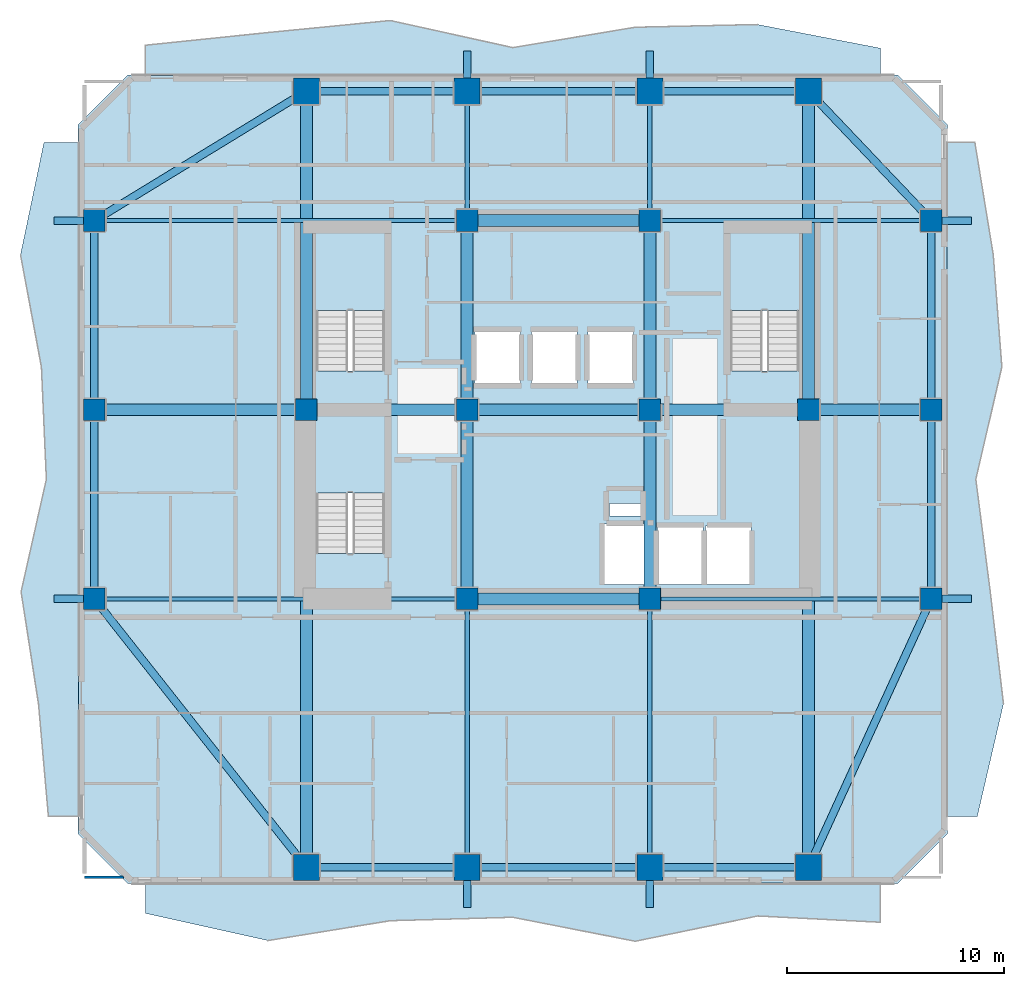
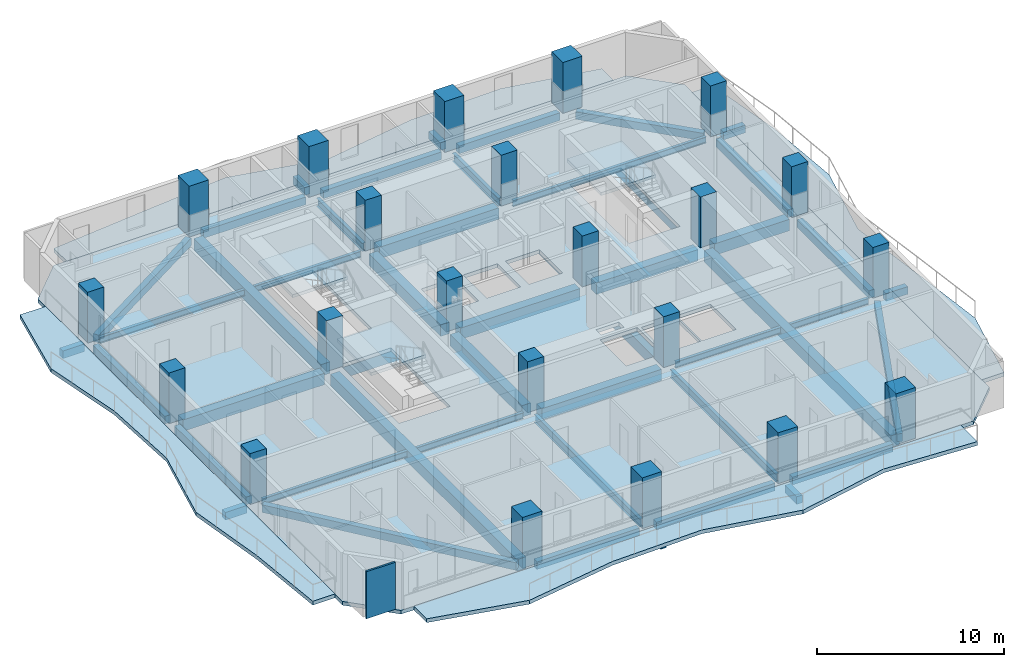
# One storey, part 1 of 11: 45 beams, 22 columns, 8 slabs, 1 wall, 3 elements without a shape of their own.
"""IFC4 building model written with IfcOpenShell, lengths in metres."""

import ifcopenshell
import ifcopenshell.guid

model = None  # the IFC model being written
_history = None  # IfcOwnerHistory: only IFC2X3 demands one
_inside = {}  # id of a spatial element -> (the spatial element, [elements in it])
_under = {}  # id of a project, library or spatial element -> (it, [spatial elements below it])
_declared = {}  # id of a project -> (the project, [libraries it declares])
_typed = {}  # id of a type object -> (the type object, [elements of that type])
_made_of = {}  # id of a material, layer set ... -> (it, [elements and type objects made of it])


def new_model(schema):
    """Start an empty IFC model of exactly this schema.

    Asked for "IFC4X3", IfcOpenShell would pick the latest addendum, in which some entities
    have other attributes; the version numbers below select the first issue.
    IFC2X3 requires an IfcOwnerHistory on every rooted entity: one is made here for all.
    """
    global model, _history
    if schema == "IFC4X3":
        model = ifcopenshell.file(schema_version=(4, 3, 0, 0))
    else:
        model = ifcopenshell.file(schema=schema)
    _inside.clear()
    _under.clear()
    _declared.clear()
    _typed.clear()
    _made_of.clear()
    _history = None
    if model.schema == "IFC2X3":
        org = make("IfcOrganization", Name="unknown")
        user = make(
            "IfcPersonAndOrganization",
            ThePerson=make("IfcPerson", FamilyName="unknown"),
            TheOrganization=org,
        )
        app = make(
            "IfcApplication",
            ApplicationDeveloper=org,
            Version="unknown",
            ApplicationFullName="unknown",
            ApplicationIdentifier="unknown",
        )
        _history = make(
            "IfcOwnerHistory",
            OwningUser=user,
            OwningApplication=app,
            ChangeAction="ADDED",
            CreationDate=0,
        )
    return model


def make(cls, **values):
    """One entity of the class cls with the attributes given. An attribute that is None is left unset."""
    return model.create_entity(
        cls, **{name: value for name, value in values.items() if value is not None}
    )


def rooted(cls, **values):
    """An entity with a GlobalId (a new one), such as an element, a storey or a relation."""
    return make(cls, GlobalId=ifcopenshell.guid.new(), OwnerHistory=_history, **values)


def si_unit(unit_type, name, prefix=None):
    """IfcSIUnit, for example si_unit("LENGTHUNIT", "METRE", prefix="MILLI")."""
    return make("IfcSIUnit", UnitType=unit_type, Prefix=prefix, Name=name)


def assignment(units):
    """IfcUnitAssignment: the units of a project."""
    return None if units is None else make("IfcUnitAssignment", Units=units)


def point(xyz):
    """IfcCartesianPoint."""
    return None if xyz is None else make("IfcCartesianPoint", Coordinates=xyz)


def direction(xyz):
    """IfcDirection."""
    return None if xyz is None else make("IfcDirection", DirectionRatios=xyz)


def frame(location, z_axis=None, x_axis=None):
    """IfcAxis2Placement3D, a coordinate frame: its origin and axes. An axis left out is left unset."""
    return make(
        "IfcAxis2Placement3D",
        Location=point(location),
        Axis=direction(z_axis),
        RefDirection=direction(x_axis),
    )


def frame_2d(location, x_axis=None):
    """IfcAxis2Placement2D, a coordinate frame in the plane: its origin and x axis."""
    return make(
        "IfcAxis2Placement2D", Location=point(location), RefDirection=direction(x_axis)
    )


def origin():
    """The frame at (0, 0, 0) with its axes left unset."""
    return frame((0.0, 0.0, 0.0))


def origin_2d():
    """The frame at (0, 0) in the plane with its x axis left unset."""
    return frame_2d((0.0, 0.0))


def place(relative_to, where):
    """IfcLocalPlacement: puts the frame where relative to a parent placement (None: the world)."""
    return make(
        "IfcLocalPlacement", PlacementRelTo=relative_to, RelativePlacement=where
    )


def context(
    kind, dimensions, precision=None, world=None, true_north=None, identifier=None
):
    """IfcGeometricRepresentationContext, for example the 3D "Model" context."""
    return make(
        "IfcGeometricRepresentationContext",
        ContextIdentifier=identifier,
        ContextType=kind,
        CoordinateSpaceDimension=dimensions,
        Precision=precision,
        WorldCoordinateSystem=world,
        TrueNorth=true_north,
    )


def subcontext(parent, identifier, kind, view, scale=None):
    """IfcGeometricRepresentationSubContext, for example "Body" below "Model"."""
    return make(
        "IfcGeometricRepresentationSubContext",
        ContextIdentifier=identifier,
        ContextType=kind,
        ParentContext=parent,
        TargetScale=scale,
        TargetView=view,
    )


def project(units=None, contexts=None):
    """IfcProject with its units and contexts."""
    return rooted(
        "IfcProject",
        Name="project",
        RepresentationContexts=contexts,
        UnitsInContext=assignment(units),
    )


def spatial(cls, under=None, at=None, **own):
    """A site, building, storey or space (cls), placed at a placement, below another one or the project."""
    s = rooted(cls, ObjectPlacement=at, **own)
    if under is not None:
        _under.setdefault(under.id(), (under, []))[1].append(s)
    return s


def polyline(points):
    """IfcPolyline through the points."""
    return make("IfcPolyline", Points=[point(p) for p in points])


def profile(cls, at=None, kind="AREA", **sizes):
    """A parametric profile (cls). Its sizes go by their IFC names, for example OverallWidth=200.0."""
    return make(cls, ProfileType=kind, Position=at, **sizes)


def rectangle(**sizes):
    """IfcRectangleProfileDef."""
    return profile("IfcRectangleProfileDef", **sizes)


def i_section(**sizes):
    """IfcIShapeProfileDef."""
    return profile("IfcIShapeProfileDef", **sizes)


def outline(outer, holes=None, kind="AREA"):
    """IfcArbitraryClosedProfileDef: a profile drawn as a closed curve; with holes, ...WithVoids."""
    if holes is None:
        return make("IfcArbitraryClosedProfileDef", ProfileType=kind, OuterCurve=outer)
    return make(
        "IfcArbitraryProfileDefWithVoids",
        ProfileType=kind,
        OuterCurve=outer,
        InnerCurves=holes,
    )


def extrude(swept, where, along, depth):
    """IfcExtrudedAreaSolid: the profile swept, set in the frame where, extruded along a direction by depth."""
    return make(
        "IfcExtrudedAreaSolid",
        SweptArea=swept,
        Position=where,
        ExtrudedDirection=direction(along),
        Depth=depth,
    )


def shape(context_of_items, identifier, shape_type, items):
    """IfcShapeRepresentation: the items that make up one representation, for example the "Body"."""
    return make(
        "IfcShapeRepresentation",
        ContextOfItems=context_of_items,
        RepresentationIdentifier=identifier,
        RepresentationType=shape_type,
        Items=items,
    )


def material(Name=None, Category=None):
    """IfcMaterial."""
    return make("IfcMaterial", Name=Name, Category=Category)


def layer(
    of_material, thickness, ventilated=None, Name=None, Category=None, Priority=None
):
    """IfcMaterialLayer: one layer of a wall or slab, of a material (None: an air gap)."""
    return make(
        "IfcMaterialLayer",
        Material=of_material,
        LayerThickness=thickness,
        IsVentilated=ventilated,
        Name=Name,
        Category=Category,
        Priority=Priority,
    )


def layer_set(layers, Name=None):
    """IfcMaterialLayerSet."""
    return make("IfcMaterialLayerSet", MaterialLayers=layers, LayerSetName=Name)


def material_profile(
    of_material, cross_section, Name=None, Category=None, Priority=None
):
    """IfcMaterialProfile: a cross section and its material."""
    return make(
        "IfcMaterialProfile",
        Name=Name,
        Material=of_material,
        Profile=cross_section,
        Priority=Priority,
        Category=Category,
    )


def profile_set(profiles, Name=None, composite=None):
    """IfcMaterialProfileSet."""
    return make(
        "IfcMaterialProfileSet",
        Name=Name,
        MaterialProfiles=profiles,
        CompositeProfile=composite,
    )


def made_of(thing, what):
    """Note that an element or type object is made of a material, layer set ...; save() writes the relation."""
    if what is not None:
        _made_of.setdefault(what.id(), (what, []))[1].append(thing)
    return thing


def type_object(cls, material=None, **own):
    """A type object (cls), such as IfcWallType, which elements share."""
    return made_of(rooted(cls, **own), material)


def element(
    cls,
    number,
    at=None,
    inside=None,
    cuts=None,
    type_object=None,
    material=None,
    context=None,
    identifier="Body",
    shape_type=None,
    held_by="IfcProductDefinitionShape",
    body=None,
    shapes=None,
    **own,
):
    """One element of the class cls, such as IfcWall. Its Tag is "e" and its number.

    at: its placement. inside: the storey or other place that contains it. cuts: it is an
    opening in that element (IfcRelVoidsElement). A single representation is given by context,
    identifier, shape_type and body (its items); several are given by shapes. held_by: the class
    of the entity that holds the representations. save() writes the other relations.
    """
    e = rooted(cls, Tag="e%d" % number, ObjectPlacement=at, **own)
    if body is not None:
        shapes = [shape(context, identifier, shape_type, body)]
    if shapes is not None:
        e.Representation = make(held_by, Representations=shapes)
    if inside is not None:
        _inside.setdefault(inside.id(), (inside, []))[1].append(e)
    if cuts is not None:
        rooted(
            "IfcRelVoidsElement", RelatingBuildingElement=cuts, RelatedOpeningElement=e
        )
    if type_object is not None:
        _typed.setdefault(type_object.id(), (type_object, []))[1].append(e)
    return made_of(e, material)


def aggregate(whole, parts):
    """IfcRelAggregates: a whole, such as a stair, and the parts it consists of."""
    return rooted("IfcRelAggregates", RelatingObject=whole, RelatedObjects=parts)


def save(model, path):
    """Write the relations noted so far, then the file.

    IfcRelAggregates (storeys below a building ...), IfcRelContainedInSpatialStructure (elements
    in a storey), IfcRelDefinesByType, IfcRelAssociatesMaterial and IfcRelDeclares: one each for
    every whole, place, type object, material and project.
    """
    for whole, parts in _under.values():
        aggregate(whole, parts)
    for where, things in _inside.values():
        rooted(
            "IfcRelContainedInSpatialStructure",
            RelatedElements=things,
            RelatingStructure=where,
        )
    for kind, things in _typed.values():
        rooted("IfcRelDefinesByType", RelatedObjects=things, RelatingType=kind)
    for what, things in _made_of.values():
        rooted("IfcRelAssociatesMaterial", RelatedObjects=things, RelatingMaterial=what)
    for by, libraries in _declared.values():
        rooted("IfcRelDeclares", RelatingContext=by, RelatedDefinitions=libraries)
    model.write(path)


model = new_model("IFC4")

# Units and contexts
model_context = context("Model", 3, precision=1e-05, world=origin(), true_north=direction((0.0, 1.0)))
body_context = subcontext(model_context, "Body", "Model", "MODEL_VIEW")
ifc_project = project(units=[si_unit("LENGTHUNIT", "METRE"), si_unit("AREAUNIT", "SQUARE_METRE"), si_unit("VOLUMEUNIT", "CUBIC_METRE"), si_unit("PLANEANGLEUNIT", "RADIAN"), si_unit("MASSUNIT", "GRAM", prefix="KILO")], contexts=[model_context])

# Site, building, storey
site_placement = place(None, origin())
site = spatial("IfcSite", under=ifc_project, at=site_placement, CompositionType="ELEMENT")
building_placement = place(site_placement, origin())
building = spatial("IfcBuilding", under=site, at=building_placement, Name="Solanera Arch Residences", CompositionType="ELEMENT")
storey_placement = place(building_placement, frame((0.0, 0.0, 116.0400390625)))
storey = spatial("IfcBuildingStorey", under=building, at=storey_placement, Name="L33", CompositionType="ELEMENT", Elevation=116.0400390625)

# Columns
ifc_material_1 = material(Name="Concrete C55/67 (f'c = 60 MPa)", Category="concrete")
ifc_material_profile_1 = material_profile(ifc_material_1, rectangle(XDim=1.0, YDim=1.0, at=origin_2d()))
ifc_profile_set_1 = profile_set([ifc_material_profile_1], Name="Concrete C55/67 (f'c = 60 MPa)")
column_type_1 = type_object("IfcColumnType", Name="Structural Column RC-COL-1000X1000", PredefinedType="COLUMN", material=ifc_profile_set_1)
for number, where, z_axis, x_axis, name in (
    (1, (20.800048828125, 22.0, 0.0), (0.0, 0.0, 1.0), (1.0, 0.0, 0.0), "COL-L33-CB-SW"),
    (2, (29.199951171875, 22.0, 0.0), (0.0, 0.0, 1.0), (1.0, 0.0, 0.0), "COL-L33-CB-SE"),
    (3, (20.800048828125, 39.39990234375, 0.0), (0.0, 0.0, 1.0), (1.0, 0.0, 0.0), "COL-L33-CB-NW"),
    (4, (29.199951171875, 39.39990234375, 0.0), (0.0, 0.0, 1.0), (1.0, 0.0, 0.0), "COL-L33-CB-NE"),
    (5, (13.39990234375, 30.699951171875, 0.0), (0.0, 0.0, 1.0), (1.0, 0.0, 0.0), "COL-L33-CB-WW"),
    (6, (36.5, 30.699951171875, 0.0), (0.0, 0.0, 1.0), (1.0, 0.0, 0.0), "COL-L33-CB-EE"),
    (7, (20.800048828125, 30.699951171875, 0.0), (0.0, 0.0, 1.0), (1.0, 0.0, 0.0), "COL-L33-CORE-W"),
    (8, (29.199951171875, 30.699951171875, 0.0), (0.0, 0.0, 1.0), (1.0, 0.0, 0.0), "COL-L33-CORE-E"),
    (9, (3.64990234375, 22.0, 0.0), (0.0, 0.0, 1.0), (1.0, 0.0, 0.0), "COL-L33-TWR-09"),
    (10, (42.14990234375, 22.0, 0.0), (0.0, 0.0, 1.0), (1.0, 0.0, 0.0), "COL-L33-TWR-10"),
    (11, (3.64990234375, 30.699951171875, 0.0), (0.0, 0.0, 1.0), (1.0, 0.0, 0.0), "COL-L33-TWR-11"),
    (12, (42.14990234375, 30.699951171875, 0.0), (0.0, 0.0, 1.0), (1.0, 0.0, 0.0), "COL-L33-TWR-12"),
    (13, (3.64990234375, 39.39990234375, 0.0), (0.0, 0.0, 1.0), (1.0, 0.0, 0.0), "COL-L33-TWR-13"),
    (14, (42.14990234375, 39.39990234375, 0.0), (0.0, 0.0, 1.0), (1.0, 0.0, 0.0), "COL-L33-TWR-14"),
):
    element("IfcColumn", number, at=place(storey_placement, frame(where, z_axis=z_axis, x_axis=x_axis)), inside=storey, type_object=column_type_1, Name=name, PredefinedType="COLUMN", context=body_context, shape_type="SweptSolid", body=[
        extrude(rectangle(XDim=1.0, YDim=1.0, at=origin_2d()), origin(), (0.0, 0.0, 1.0), 3.320068359375),
    ])
ifc_material_2 = material(Name="Concrete C55/67 (f'c = 60 MPa)", Category="concrete")
ifc_material_profile_2 = material_profile(ifc_material_2, rectangle(XDim=1.199951171875, YDim=1.199951171875, at=origin_2d()))
ifc_profile_set_2 = profile_set([ifc_material_profile_2], Name="Concrete C55/67 (f'c = 60 MPa)")
column_type_2 = type_object("IfcColumnType", Name="Structural Column RC-COL-1200X1200", PredefinedType="COLUMN", material=ifc_profile_set_2)
for number, where, z_axis, x_axis, name in (
    (15, (13.39990234375, 9.64990234375, 0.0), (0.0, 0.0, 1.0), (1.0, 0.0, 0.0), "COL-L33-TWR-01"),
    (16, (13.39990234375, 45.35009765625, 0.0), (0.0, 0.0, 1.0), (1.0, 0.0, 0.0), "COL-L33-TWR-02"),
    (17, (20.800048828125, 9.64990234375, 0.0), (0.0, 0.0, 1.0), (1.0, 0.0, 0.0), "COL-L33-TWR-03"),
    (18, (20.800048828125, 45.35009765625, 0.0), (0.0, 0.0, 1.0), (1.0, 0.0, 0.0), "COL-L33-TWR-04"),
    (19, (29.199951171875, 9.64990234375, 0.0), (0.0, 0.0, 1.0), (1.0, 0.0, 0.0), "COL-L33-TWR-05"),
    (20, (29.199951171875, 45.35009765625, 0.0), (0.0, 0.0, 1.0), (1.0, 0.0, 0.0), "COL-L33-TWR-06"),
    (21, (36.5, 9.64990234375, 0.0), (0.0, 0.0, 1.0), (1.0, 0.0, 0.0), "COL-L33-TWR-07"),
    (22, (36.5, 45.35009765625, 0.0), (0.0, 0.0, 1.0), (1.0, 0.0, 0.0), "COL-L33-TWR-08"),
):
    element("IfcColumn", number, at=place(storey_placement, frame(where, z_axis=z_axis, x_axis=x_axis)), inside=storey, type_object=column_type_2, Name=name, PredefinedType="COLUMN", context=body_context, shape_type="SweptSolid", body=[
        extrude(rectangle(XDim=1.199951171875, YDim=1.199951171875, at=origin_2d()), origin(), (0.0, 0.0, 1.0), 3.320068359375),
    ])

# Beams
ifc_material_3 = material(Name="Concrete C40/50 (f'c = 45 MPa)", Category="concrete")
ifc_material_profile_3 = material_profile(ifc_material_3, rectangle(XDim=0.35009765625, YDim=0.5, at=origin_2d()))
ifc_profile_set_3 = profile_set([ifc_material_profile_3], Name="Concrete C40/50 (f'c = 45 MPa)")
beam_type_1 = type_object("IfcBeamType", Name="BM-BALC-RIB", PredefinedType="BEAM", material=ifc_profile_set_3)
for number, where, z_axis, x_axis, name in (
    (23, (20.800048828125, 7.800048828125, -0.5), (0.0, 1.0, 0.0), (-1.0, 0.0, 0.0), "BM-L33-BRIB-S1"),
    (24, (29.199951171875, 7.800048828125, -0.5), (0.0, 1.0, 0.0), (-1.0, 0.0, 0.0), "BM-L33-BRIB-S2"),
    (25, (20.800048828125, 45.949951171875, -0.5), (0.0, 1.0, 0.0), (-1.0, 0.0, 0.0), "BM-L33-BRIB-N1"),
    (26, (29.199951171875, 45.949951171875, -0.5), (0.0, 1.0, 0.0), (-1.0, 0.0, 0.0), "BM-L33-BRIB-N2"),
):
    element("IfcBeam", number, at=place(storey_placement, frame(where, z_axis=z_axis, x_axis=x_axis)), inside=storey, type_object=beam_type_1, Name=name, PredefinedType="BEAM", context=body_context, shape_type="SweptSolid", body=[
        extrude(rectangle(XDim=0.35009765625, YDim=0.5, at=origin_2d()), origin(), (0.0, 0.0, 1.0), 1.25),
    ])
for number, where, z_axis, x_axis, name in (
    (27, (42.64990234375, 22.0, -0.5), (1.0, 0.0, 0.0), (0.0, 1.0, 0.0), "BM-L33-BRIB-E1"),
    (28, (42.64990234375, 39.39990234375, -0.5), (1.0, 0.0, 0.0), (0.0, 1.0, 0.0), "BM-L33-BRIB-E2"),
):
    element("IfcBeam", number, at=place(storey_placement, frame(where, z_axis=z_axis, x_axis=x_axis)), inside=storey, type_object=beam_type_1, Name=name, PredefinedType="BEAM", context=body_context, shape_type="SweptSolid", body=[
        extrude(rectangle(XDim=0.35009765625, YDim=0.5, at=origin_2d()), origin(), (0.0, 0.0, 1.0), 1.35009765625),
    ])
for number, where, z_axis, x_axis, name in (
    (29, (1.800048828125, 22.0, -0.5), (1.0, 0.0, 0.0), (0.0, 1.0, 0.0), "BM-L33-BRIB-W1"),
    (30, (1.800048828125, 39.39990234375, -0.5), (1.0, 0.0, 0.0), (0.0, 1.0, 0.0), "BM-L33-BRIB-W2"),
):
    element("IfcBeam", number, at=place(storey_placement, frame(where, z_axis=z_axis, x_axis=x_axis)), inside=storey, type_object=beam_type_1, Name=name, PredefinedType="BEAM", context=body_context, shape_type="SweptSolid", body=[
        extrude(rectangle(XDim=0.35009765625, YDim=0.5, at=origin_2d()), origin(), (0.0, 0.0, 1.0), 1.349853515625),
    ])
ifc_material_4 = material(Name="Steel S355 (ASTM A992 / A572 Grade 50)", Category="steel")
ifc_material_profile_4 = material_profile(ifc_material_4, i_section(OverallWidth=0.208984375, OverallDepth=0.532958984375, WebThickness=0.01025390625, FlangeThickness=0.015625, at=origin_2d()))
ifc_profile_set_4 = profile_set([ifc_material_profile_4], Name="Steel S355 (ASTM A992 / A572 Grade 50)")
beam_type_2 = type_object("IfcBeamType", Name="Floor Beam W530X92", PredefinedType="BEAM", material=ifc_profile_set_4)
beam_1_placement = place(storey_placement, frame((20.800048828125, 10.18994140625, -0.506103515625), z_axis=(0.0, 1.0, 0.0), x_axis=(-1.0, 0.0, 0.0)))
element("IfcBeam", 31, at=beam_1_placement, inside=storey, type_object=beam_type_2, Name="BM-L33-RAD-S-208", PredefinedType="BEAM", context=body_context, shape_type="SweptSolid", body=[
    extrude(i_section(OverallWidth=0.208984375, OverallDepth=0.532958984375, WebThickness=0.01025390625, FlangeThickness=0.015625, at=origin_2d()), origin(), (0.0, 0.0, 1.0), 11.30615234375),
])
beam_2_placement = place(storey_placement, frame((20.800048828125, 39.904052734375, -0.506103515625), z_axis=(0.0, 1.0, 0.0), x_axis=(-1.0, 0.0, 0.0)))
element("IfcBeam", 32, at=beam_2_placement, inside=storey, type_object=beam_type_2, Name="BM-L33-RAD-N-208", PredefinedType="BEAM", context=body_context, shape_type="SweptSolid", body=[
    extrude(i_section(OverallWidth=0.208984375, OverallDepth=0.532958984375, WebThickness=0.01025390625, FlangeThickness=0.015625, at=origin_2d()), origin(), (0.0, 0.0, 1.0), 4.906005859375),
])
beam_3_placement = place(storey_placement, frame((29.199951171875, 10.18994140625, -0.506103515625), z_axis=(0.0, 1.0, 0.0), x_axis=(-1.0, 0.0, 0.0)))
element("IfcBeam", 33, at=beam_3_placement, inside=storey, type_object=beam_type_2, Name="BM-L33-RAD-S-292", PredefinedType="BEAM", context=body_context, shape_type="SweptSolid", body=[
    extrude(i_section(OverallWidth=0.208984375, OverallDepth=0.532958984375, WebThickness=0.01025390625, FlangeThickness=0.015625, at=origin_2d()), origin(), (0.0, 0.0, 1.0), 11.30615234375),
])
beam_4_placement = place(storey_placement, frame((29.199951171875, 39.904052734375, -0.506103515625), z_axis=(0.0, 1.0, 0.0), x_axis=(-1.0, 0.0, 0.0)))
element("IfcBeam", 34, at=beam_4_placement, inside=storey, type_object=beam_type_2, Name="BM-L33-RAD-N-292", PredefinedType="BEAM", context=body_context, shape_type="SweptSolid", body=[
    extrude(i_section(OverallWidth=0.208984375, OverallDepth=0.532958984375, WebThickness=0.01025390625, FlangeThickness=0.015625, at=origin_2d()), origin(), (0.0, 0.0, 1.0), 4.906005859375),
])
ifc_material_5 = material(Name="Concrete C40/50 (f'c = 45 MPa)", Category="concrete")
ifc_material_profile_5 = material_profile(ifc_material_5, rectangle(XDim=0.550048828125, YDim=0.75, at=origin_2d()))
ifc_profile_set_5 = profile_set([ifc_material_profile_5], Name="Concrete C40/50 (f'c = 45 MPa)")
beam_type_3 = type_object("IfcBeamType", Name="Primary Beam RC-BM-550X750", PredefinedType="BEAM", material=ifc_profile_set_5)
beam_5_placement = place(storey_placement, frame((20.800048828125, 22.50390625, -0.614990234375), z_axis=(0.0, 1.0, 0.0), x_axis=(-1.0, 0.0, 0.0)))
element("IfcBeam", 35, at=beam_5_placement, inside=storey, type_object=beam_type_3, Name="BM-L33-CC-S-208", PredefinedType="BEAM", context=body_context, shape_type="SweptSolid", body=[
    extrude(rectangle(XDim=0.550048828125, YDim=0.75, at=origin_2d()), origin(), (0.0, 0.0, 1.0), 7.692138671875),
])
beam_6_placement = place(storey_placement, frame((20.800048828125, 31.2041015625, -0.614990234375), z_axis=(0.0, 1.0, 0.0), x_axis=(-1.0, 0.0, 0.0)))
element("IfcBeam", 36, at=beam_6_placement, inside=storey, type_object=beam_type_3, Name="BM-L33-CC-N-208", PredefinedType="BEAM", context=body_context, shape_type="SweptSolid", body=[
    extrude(rectangle(XDim=0.550048828125, YDim=0.75, at=origin_2d()), origin(), (0.0, 0.0, 1.0), 7.69189453125),
])
beam_7_placement = place(storey_placement, frame((29.199951171875, 22.50390625, -0.614990234375), z_axis=(0.0, 1.0, 0.0), x_axis=(-1.0, 0.0, 0.0)))
element("IfcBeam", 37, at=beam_7_placement, inside=storey, type_object=beam_type_3, Name="BM-L33-CC-S-292", PredefinedType="BEAM", context=body_context, shape_type="SweptSolid", body=[
    extrude(rectangle(XDim=0.550048828125, YDim=0.75, at=origin_2d()), origin(), (0.0, 0.0, 1.0), 7.692138671875),
])
beam_8_placement = place(storey_placement, frame((29.199951171875, 31.2041015625, -0.614990234375), z_axis=(0.0, 1.0, 0.0), x_axis=(-1.0, 0.0, 0.0)))
element("IfcBeam", 38, at=beam_8_placement, inside=storey, type_object=beam_type_3, Name="BM-L33-CC-N-292", PredefinedType="BEAM", context=body_context, shape_type="SweptSolid", body=[
    extrude(rectangle(XDim=0.550048828125, YDim=0.75, at=origin_2d()), origin(), (0.0, 0.0, 1.0), 7.69189453125),
])
for number, where, z_axis, x_axis, name in (
    (39, (21.303955078125, 22.0, -0.614990234375), (1.0, 0.0, 0.0), (0.0, 1.0, 0.0), "BM-L33-CC-M-220"),
    (40, (21.303955078125, 30.699951171875, -0.614990234375), (1.0, 0.0, 0.0), (0.0, 1.0, 0.0), "BM-L33-CC-M-307"),
    (41, (21.303955078125, 39.39990234375, -0.614990234375), (1.0, 0.0, 0.0), (0.0, 1.0, 0.0), "BM-L33-CC-M-394"),
):
    element("IfcBeam", number, at=place(storey_placement, frame(where, z_axis=z_axis, x_axis=x_axis)), inside=storey, type_object=beam_type_3, Name=name, PredefinedType="BEAM", context=body_context, shape_type="SweptSolid", body=[
        extrude(rectangle(XDim=0.550048828125, YDim=0.75, at=origin_2d()), origin(), (0.0, 0.0, 1.0), 7.39208984375),
    ])
beam_9_placement = place(storey_placement, frame((13.904052734375, 30.699951171875, -0.614990234375), z_axis=(1.0, 0.0, 0.0), x_axis=(0.0, 1.0, 0.0)))
element("IfcBeam", 42, at=beam_9_placement, inside=storey, type_object=beam_type_3, Name="BM-L33-CC-W", PredefinedType="BEAM", context=body_context, shape_type="SweptSolid", body=[
    extrude(rectangle(XDim=0.550048828125, YDim=0.75, at=origin_2d()), origin(), (0.0, 0.0, 1.0), 6.391845703125),
])
beam_10_placement = place(storey_placement, frame((29.7041015625, 30.699951171875, -0.614990234375), z_axis=(1.0, 0.0, 0.0), x_axis=(0.0, 1.0, 0.0)))
element("IfcBeam", 43, at=beam_10_placement, inside=storey, type_object=beam_type_3, Name="BM-L33-CC-E", PredefinedType="BEAM", context=body_context, shape_type="SweptSolid", body=[
    extrude(rectangle(XDim=0.550048828125, YDim=0.75, at=origin_2d()), origin(), (0.0, 0.0, 1.0), 6.2919921875),
])
beam_11_placement = place(storey_placement, frame((13.39990234375, 10.18994140625, -0.614990234375), z_axis=(0.0, 1.0, 0.0), x_axis=(-1.0, 0.0, 0.0)))
element("IfcBeam", 44, at=beam_11_placement, inside=storey, type_object=beam_type_3, Name="BM-L33-RAD-OS-134", PredefinedType="BEAM", context=body_context, shape_type="SweptSolid", body=[
    extrude(rectangle(XDim=0.550048828125, YDim=0.75, at=origin_2d()), origin(), (0.0, 0.0, 1.0), 20.006103515625),
])
beam_12_placement = place(storey_placement, frame((13.39990234375, 31.2041015625, -0.614990234375), z_axis=(0.0, 1.0, 0.0), x_axis=(-1.0, 0.0, 0.0)))
element("IfcBeam", 45, at=beam_12_placement, inside=storey, type_object=beam_type_3, Name="BM-L33-RAD-ON-134", PredefinedType="BEAM", context=body_context, shape_type="SweptSolid", body=[
    extrude(rectangle(XDim=0.550048828125, YDim=0.75, at=origin_2d()), origin(), (0.0, 0.0, 1.0), 13.60595703125),
])
beam_13_placement = place(storey_placement, frame((36.5, 10.18994140625, -0.614990234375), z_axis=(0.0, 1.0, 0.0), x_axis=(-1.0, 0.0, 0.0)))
element("IfcBeam", 46, at=beam_13_placement, inside=storey, type_object=beam_type_3, Name="BM-L33-RAD-OS-365", PredefinedType="BEAM", context=body_context, shape_type="SweptSolid", body=[
    extrude(rectangle(XDim=0.550048828125, YDim=0.75, at=origin_2d()), origin(), (0.0, 0.0, 1.0), 20.006103515625),
])
beam_14_placement = place(storey_placement, frame((36.5, 31.2041015625, -0.614990234375), z_axis=(0.0, 1.0, 0.0), x_axis=(-1.0, 0.0, 0.0)))
element("IfcBeam", 47, at=beam_14_placement, inside=storey, type_object=beam_type_3, Name="BM-L33-RAD-ON-365", PredefinedType="BEAM", context=body_context, shape_type="SweptSolid", body=[
    extrude(rectangle(XDim=0.550048828125, YDim=0.75, at=origin_2d()), origin(), (0.0, 0.0, 1.0), 13.60595703125),
])
beam_15_placement = place(storey_placement, frame((4.154052734375, 30.699951171875, -0.614990234375), z_axis=(1.0, 0.0, 0.0), x_axis=(0.0, 1.0, 0.0)))
element("IfcBeam", 48, at=beam_15_placement, inside=storey, type_object=beam_type_3, Name="BM-L33-RAD-MW", PredefinedType="BEAM", context=body_context, shape_type="SweptSolid", body=[
    extrude(rectangle(XDim=0.550048828125, YDim=0.75, at=origin_2d()), origin(), (0.0, 0.0, 1.0), 8.741943359375),
])
beam_16_placement = place(storey_placement, frame((37.00390625, 30.699951171875, -0.614990234375), z_axis=(1.0, 0.0, 0.0), x_axis=(0.0, 1.0, 0.0)))
element("IfcBeam", 49, at=beam_16_placement, inside=storey, type_object=beam_type_3, Name="BM-L33-RAD-ME", PredefinedType="BEAM", context=body_context, shape_type="SweptSolid", body=[
    extrude(rectangle(XDim=0.550048828125, YDim=0.75, at=origin_2d()), origin(), (0.0, 0.0, 1.0), 4.64208984375),
])
ifc_material_6 = material(Name="Steel S355 (ASTM A992 / A572 Grade 50)", Category="steel")
ifc_material_profile_6 = material_profile(ifc_material_6, i_section(OverallWidth=0.178955078125, OverallDepth=0.409912109375, WebThickness=0.0087890625, FlangeThickness=0.014404296875, at=origin_2d()))
ifc_profile_set_6 = profile_set([ifc_material_profile_6], Name="Steel S355 (ASTM A992 / A572 Grade 50)")
beam_type_4 = type_object("IfcBeamType", Name="Secondary Joist W410X67", PredefinedType="JOIST", material=ifc_profile_set_6)
beam_17_placement = place(storey_placement, frame((4.154052734375, 22.0, -0.445068359375), z_axis=(1.0, 0.0, 0.0), x_axis=(0.0, 1.0, 0.0)))
element("IfcBeam", 50, at=beam_17_placement, inside=storey, type_object=beam_type_4, Name="BM-L33-RAD-W-220", PredefinedType="JOIST", context=body_context, shape_type="SweptSolid", body=[
    extrude(i_section(OverallWidth=0.178955078125, OverallDepth=0.409912109375, WebThickness=0.0087890625, FlangeThickness=0.014404296875, at=origin_2d()), origin(), (0.0, 0.0, 1.0), 16.141845703125),
])
beam_18_placement = place(storey_placement, frame((29.7041015625, 22.0, -0.445068359375), z_axis=(1.0, 0.0, 0.0), x_axis=(0.0, 1.0, 0.0)))
element("IfcBeam", 51, at=beam_18_placement, inside=storey, type_object=beam_type_4, Name="BM-L33-RAD-E-220", PredefinedType="JOIST", context=body_context, shape_type="SweptSolid", body=[
    extrude(i_section(OverallWidth=0.178955078125, OverallDepth=0.409912109375, WebThickness=0.0087890625, FlangeThickness=0.014404296875, at=origin_2d()), origin(), (0.0, 0.0, 1.0), 11.94189453125),
])
beam_19_placement = place(storey_placement, frame((4.154052734375, 39.39990234375, -0.445068359375), z_axis=(1.0, 0.0, 0.0), x_axis=(0.0, 1.0, 0.0)))
element("IfcBeam", 52, at=beam_19_placement, inside=storey, type_object=beam_type_4, Name="BM-L33-RAD-W-394", PredefinedType="JOIST", context=body_context, shape_type="SweptSolid", body=[
    extrude(i_section(OverallWidth=0.178955078125, OverallDepth=0.409912109375, WebThickness=0.0087890625, FlangeThickness=0.014404296875, at=origin_2d()), origin(), (0.0, 0.0, 1.0), 16.141845703125),
])
beam_20_placement = place(storey_placement, frame((29.7041015625, 39.39990234375, -0.445068359375), z_axis=(1.0, 0.0, 0.0), x_axis=(0.0, 1.0, 0.0)))
element("IfcBeam", 53, at=beam_20_placement, inside=storey, type_object=beam_type_4, Name="BM-L33-RAD-E-394", PredefinedType="JOIST", context=body_context, shape_type="SweptSolid", body=[
    extrude(i_section(OverallWidth=0.178955078125, OverallDepth=0.409912109375, WebThickness=0.0087890625, FlangeThickness=0.014404296875, at=origin_2d()), origin(), (0.0, 0.0, 1.0), 11.94189453125),
])
ifc_material_7 = material(Name="Concrete C40/50 (f'c = 45 MPa)", Category="concrete")
ifc_material_profile_7 = material_profile(ifc_material_7, rectangle(XDim=0.35009765625, YDim=0.5, at=origin_2d()))
ifc_profile_set_7 = profile_set([ifc_material_profile_7], Name="Concrete C40/50 (f'c = 45 MPa)")
beam_type_5 = type_object("IfcBeamType", Name="Spandrel Beam RC-BM-350X500", PredefinedType="SPANDREL", material=ifc_profile_set_7)
for number, where, z_axis, x_axis, name in (
    (54, (13.93994140625, 9.64990234375, -0.489990234375), (1.0, 0.0, 0.0), (0.0, 1.0, 0.0), "BM-L33-SPN-S-1"),
    (55, (13.93994140625, 45.35009765625, -0.489990234375), (1.0, 0.0, 0.0), (0.0, 1.0, 0.0), "BM-L33-SPN-N-1"),
):
    element("IfcBeam", number, at=place(storey_placement, frame(where, z_axis=z_axis, x_axis=x_axis)), inside=storey, type_object=beam_type_5, Name=name, PredefinedType="SPANDREL", context=body_context, shape_type="SweptSolid", body=[
        extrude(rectangle(XDim=0.35009765625, YDim=0.5, at=origin_2d()), origin(), (0.0, 0.0, 1.0), 6.320068359375),
    ])
for number, where, z_axis, x_axis, name in (
    (56, (21.340087890625, 9.64990234375, -0.489990234375), (1.0, 0.0, 0.0), (0.0, 1.0, 0.0), "BM-L33-SPN-S-2"),
    (57, (21.340087890625, 45.35009765625, -0.489990234375), (1.0, 0.0, 0.0), (0.0, 1.0, 0.0), "BM-L33-SPN-N-2"),
):
    element("IfcBeam", number, at=place(storey_placement, frame(where, z_axis=z_axis, x_axis=x_axis)), inside=storey, type_object=beam_type_5, Name=name, PredefinedType="SPANDREL", context=body_context, shape_type="SweptSolid", body=[
        extrude(rectangle(XDim=0.35009765625, YDim=0.5, at=origin_2d()), origin(), (0.0, 0.0, 1.0), 7.31982421875),
    ])
for number, where, z_axis, x_axis, name in (
    (58, (29.739990234375, 9.64990234375, -0.489990234375), (1.0, 0.0, 0.0), (0.0, 1.0, 0.0), "BM-L33-SPN-S-3"),
    (59, (29.739990234375, 45.35009765625, -0.489990234375), (1.0, 0.0, 0.0), (0.0, 1.0, 0.0), "BM-L33-SPN-N-3"),
):
    element("IfcBeam", number, at=place(storey_placement, frame(where, z_axis=z_axis, x_axis=x_axis)), inside=storey, type_object=beam_type_5, Name=name, PredefinedType="SPANDREL", context=body_context, shape_type="SweptSolid", body=[
        extrude(rectangle(XDim=0.35009765625, YDim=0.5, at=origin_2d()), origin(), (0.0, 0.0, 1.0), 6.219970703125),
    ])
for number, where, z_axis, x_axis, name in (
    (60, (3.64990234375, 22.50390625, -0.489990234375), (0.0, 1.0, 0.0), (-1.0, 0.0, 0.0), "BM-L33-SPN-W-1"),
    (61, (42.14990234375, 22.50390625, -0.489990234375), (0.0, 1.0, 0.0), (-1.0, 0.0, 0.0), "BM-L33-SPN-E-1"),
):
    element("IfcBeam", number, at=place(storey_placement, frame(where, z_axis=z_axis, x_axis=x_axis)), inside=storey, type_object=beam_type_5, Name=name, PredefinedType="SPANDREL", context=body_context, shape_type="SweptSolid", body=[
        extrude(rectangle(XDim=0.35009765625, YDim=0.5, at=origin_2d()), origin(), (0.0, 0.0, 1.0), 7.692138671875),
    ])
for number, where, z_axis, x_axis, name in (
    (62, (3.64990234375, 31.2041015625, -0.489990234375), (0.0, 1.0, 0.0), (-1.0, 0.0, 0.0), "BM-L33-SPN-W-2"),
    (63, (42.14990234375, 31.2041015625, -0.489990234375), (0.0, 1.0, 0.0), (-1.0, 0.0, 0.0), "BM-L33-SPN-E-2"),
):
    element("IfcBeam", number, at=place(storey_placement, frame(where, z_axis=z_axis, x_axis=x_axis)), inside=storey, type_object=beam_type_5, Name=name, PredefinedType="SPANDREL", context=body_context, shape_type="SweptSolid", body=[
        extrude(rectangle(XDim=0.35009765625, YDim=0.5, at=origin_2d()), origin(), (0.0, 0.0, 1.0), 7.69189453125),
    ])
beam_21_placement = place(storey_placement, frame((13.06494140625, 10.073974609375, -0.489990234375), z_axis=(-0.619616738842, 0.784904514541, 0.0), x_axis=(-0.784904514541, -0.619616738842, 0.0)))
element("IfcBeam", 64, at=beam_21_placement, inside=storey, type_object=beam_type_5, Name="BM-L33-SPN-SW", PredefinedType="SPANDREL", context=body_context, shape_type="SweptSolid", body=[
    extrude(rectangle(XDim=0.35009765625, YDim=0.5, at=origin_2d()), origin(), (0.0, 0.0, 1.0), 14.654052734375),
])
beam_22_placement = place(storey_placement, frame((12.93896484375, 45.069091796875, -0.489990234375), z_axis=(-0.85356704597, -0.520983011271, 0.0), x_axis=(0.520983011271, -0.85356704597, 0.0)))
element("IfcBeam", 65, at=beam_22_placement, inside=storey, type_object=beam_type_5, Name="BM-L33-SPN-NW", PredefinedType="SPANDREL", context=body_context, shape_type="SweptSolid", body=[
    extrude(rectangle(XDim=0.35009765625, YDim=0.5, at=origin_2d()), origin(), (0.0, 0.0, 1.0), 10.34228515625),
])
beam_23_placement = place(storey_placement, frame((36.72509765625, 10.14111328125, -0.489990234375), z_axis=(0.415970676335, 0.909378027241, 0.0), x_axis=(-0.909378027241, 0.415970676335, 0.0)))
element("IfcBeam", 66, at=beam_23_placement, inside=storey, type_object=beam_type_5, Name="BM-L33-SPN-SE", PredefinedType="SPANDREL", context=body_context, shape_type="SweptSolid", body=[
    extrude(rectangle(XDim=0.35009765625, YDim=0.5, at=origin_2d()), origin(), (0.0, 0.0, 1.0), 12.500732421875),
])
beam_24_placement = place(storey_placement, frame((36.8720703125, 44.9580078125, -0.489990234375), z_axis=(0.688623365426, -0.7251192044, 0.0), x_axis=(0.7251192044, 0.688623365426, 0.0)))
element("IfcBeam", 67, at=beam_24_placement, inside=storey, type_object=beam_type_5, Name="BM-L33-SPN-NE", PredefinedType="SPANDREL", context=body_context, shape_type="SweptSolid", body=[
    extrude(rectangle(XDim=0.35009765625, YDim=0.5, at=origin_2d()), origin(), (0.0, 0.0, 1.0), 7.124267578125),
])

# Slabs
ifc_material_8 = material(Name="Concrete C40/50 (f'c = 45 MPa)", Category="concrete")
ifc_layer_1 = layer(ifc_material_8, 0.25)
ifc_layer_set_1 = layer_set([ifc_layer_1], Name="Concrete C40/50 (f'c = 45 MPa)")
slab_type_1 = type_object("IfcSlabType", Name="Balcony Slab 250", PredefinedType="FLOOR", material=ifc_layer_set_1)
slab_1_placement = place(storey_placement, frame((0.0, 0.0, -0.25)))
element("IfcSlab", 68, at=slab_1_placement, inside=storey, type_object=slab_type_1, Name="L33 S Rippling Brise-Soleil Balcony Slab", PredefinedType="FLOOR", context=body_context, shape_type="SweptSolid", body=[
    extrude(outline(polyline([(6.0, 7.533935546875), (11.633056640625, 6.281982421875), (17.26708984375, 7.197021484375), (22.89990234375, 7.35400390625), (28.532958984375, 6.2509765625), (34.1669921875, 7.4140625), (39.800048828125, 7.1259765625), (39.800048828125, 8.919921875), (6.0, 8.919921875), (6.0, 7.533935546875)])), origin(), (0.0, 0.0, 1.0), 0.25),
])
slab_2_placement = place(storey_placement, frame((0.0, 0.0, -0.25)))
element("IfcSlab", 69, at=slab_2_placement, inside=storey, type_object=slab_type_1, Name="L33 N Rippling Brise-Soleil Balcony Slab", PredefinedType="FLOOR", context=body_context, shape_type="SweptSolid", body=[
    extrude(outline(polyline([(39.800048828125, 47.33203125), (34.1669921875, 48.4189453125), (28.532958984375, 48.2939453125), (22.89990234375, 47.35693359375), (17.26708984375, 48.60302734375), (11.633056640625, 48.049072265625), (6.0, 47.466064453125), (6.0, 46.080078125), (39.800048828125, 46.080078125), (39.800048828125, 47.33203125)])), origin(), (0.0, 0.0, 1.0), 0.25),
])
slab_3_placement = place(storey_placement, frame((0.0, 0.0, -0.25)))
element("IfcSlab", 70, at=slab_3_placement, inside=storey, type_object=slab_type_1, Name="L33 E Rippling Brise-Soleil Balcony Slab", PredefinedType="FLOOR", context=body_context, shape_type="SweptSolid", body=[
    extrude(outline(polyline([(44.26611328125, 12.0), (45.468017578125, 17.1669921875), (44.85888671875, 22.3330078125), (44.195068359375, 27.5), (45.39208984375, 32.6669921875), (44.9970703125, 37.8330078125), (44.14990234375, 43.0), (42.8798828125, 43.0), (42.8798828125, 12.0), (44.26611328125, 12.0)])), origin(), (0.0, 0.0, 1.0), 0.25),
])
slab_4_placement = place(storey_placement, frame((0.0, 0.0, -0.25)))
element("IfcSlab", 71, at=slab_4_placement, inside=storey, type_object=slab_type_1, Name="L33 W Rippling Brise-Soleil Balcony Slab", PredefinedType="FLOOR", context=body_context, shape_type="SweptSolid", body=[
    extrude(outline(polyline([(1.3310546875, 43.0), (0.2529296875, 37.8330078125), (1.214111328125, 32.6669921875), (1.44189453125, 27.5), (0.279052734375, 22.3330078125), (1.080078125, 17.1669921875), (1.533935546875, 12.0), (2.919921875, 12.0), (2.919921875, 43.0), (1.3310546875, 43.0)])), origin(), (0.0, 0.0, 1.0), 0.25),
])

# Stair, slab
ifc_material_9 = material(Name="Concrete C40/50 (f'c = 45 MPa)", Category="concrete")
stair_type = type_object("IfcStairType", Name="Tower Dogleg Exit Stair 1480", PredefinedType="HALF_TURN_STAIR", material=ifc_material_9)
stair_1_placement = place(storey_placement, origin())
stair_1 = element("IfcStair", 72, at=stair_1_placement, inside=storey, type_object=stair_type, Name="L33 Tower Core Exit Stair 1", PredefinedType="HALF_TURN_STAIR")
ifc_material_10 = material(Name="Concrete C40/50 (f'c = 45 MPa)", Category="concrete")
ifc_layer_2 = layer(ifc_material_10, 0.199951171875)
ifc_layer_set_2 = layer_set([ifc_layer_2], Name="Concrete C40/50 (f'c = 45 MPa)")
slab_type_2 = type_object("IfcSlabType", Name="Stair Half-Landing Slab 200", PredefinedType="LANDING", material=ifc_layer_set_2)
slab_5_placement = place(storey_placement, frame((0.0, 0.0, 1.4599609375)))
slab_5 = element("IfcSlab", 73, at=slab_5_placement, type_object=slab_type_2, Name="ST-T1 landing 1", PredefinedType="LANDING", context=body_context, shape_type="SweptSolid", body=[
    extrude(outline(polyline([(17.1201171875, 35.260009765625), (17.1201171875, 38.919921875), (13.719970703125, 38.919921875), (13.719970703125, 35.260009765625), (17.1201171875, 35.260009765625)])), origin(), (0.0, 0.0, 1.0), 0.199951171875),
])
aggregate(stair_1, [slab_5])

stair_2_placement = place(storey_placement, origin())
stair_2 = element("IfcStair", 74, at=stair_2_placement, inside=storey, type_object=stair_type, Name="L33 Tower Core Exit Stair 2", PredefinedType="HALF_TURN_STAIR")
slab_6_placement = place(storey_placement, frame((0.0, 0.0, 1.4599609375)))
slab_6 = element("IfcSlab", 75, at=slab_6_placement, type_object=slab_type_2, Name="ST-T2 landing 1", PredefinedType="LANDING", context=body_context, shape_type="SweptSolid", body=[
    extrude(outline(polyline([(36.179931640625, 35.260009765625), (36.179931640625, 38.919921875), (32.780029296875, 38.919921875), (32.780029296875, 35.260009765625), (36.179931640625, 35.260009765625)])), origin(), (0.0, 0.0, 1.0), 0.199951171875),
])
aggregate(stair_2, [slab_6])

stair_3_placement = place(storey_placement, origin())
stair_3 = element("IfcStair", 76, at=stair_3_placement, inside=storey, type_object=stair_type, Name="L33 Tower Core Exit Stair 3", PredefinedType="HALF_TURN_STAIR")
slab_7_placement = place(storey_placement, frame((0.0, 0.0, 1.4599609375)))
slab_7 = element("IfcSlab", 77, at=slab_7_placement, type_object=slab_type_2, Name="ST-T3 landing 1", PredefinedType="LANDING", context=body_context, shape_type="SweptSolid", body=[
    extrude(outline(polyline([(17.1201171875, 26.860107421875), (17.1201171875, 30.52001953125), (13.719970703125, 30.52001953125), (13.719970703125, 26.860107421875), (17.1201171875, 26.860107421875)])), origin(), (0.0, 0.0, 1.0), 0.199951171875),
])
aggregate(stair_3, [slab_7])

# Slab
ifc_material_11 = material(Name="Concrete C40/50 (f'c = 45 MPa)", Category="concrete")
ifc_layer_3 = layer(ifc_material_11, 0.239990234375)
ifc_layer_set_3 = layer_set([ifc_layer_3], Name="Concrete C40/50 (f'c = 45 MPa)")
slab_type_3 = type_object("IfcSlabType", Name="Suspended Floor Slab Post-Tensioned 240", PredefinedType="FLOOR", material=ifc_layer_set_3)
slab_8_placement = place(storey_placement, frame((0.0, 0.0, -0.239990234375)))
element("IfcSlab", 78, at=slab_8_placement, inside=storey, type_object=slab_type_3, Name="L33 Tower Post-Tensioned Floor Slab", PredefinedType="FLOOR", context=body_context, shape_type="SweptSolid", body=[
    extrude(outline(polyline([(5.199951171875, 8.89990234375), (40.60009765625, 8.89990234375), (42.89990234375, 11.199951171875), (42.89990234375, 43.800048828125), (40.60009765625, 46.10009765625), (5.199951171875, 46.10009765625), (2.89990234375, 43.800048828125), (2.89990234375, 11.199951171875), (5.199951171875, 8.89990234375)]), holes=[polyline([(13.840087890625, 32.48291015625), (13.840087890625, 38.800048828125), (17.0, 38.800048828125), (17.0, 32.48291015625), (13.840087890625, 32.48291015625)]), polyline([(32.89990234375, 32.48291015625), (32.89990234375, 38.800048828125), (36.06005859375, 38.800048828125), (36.06005859375, 32.48291015625), (32.89990234375, 32.48291015625)]), polyline([(13.840087890625, 24.0830078125), (13.840087890625, 30.39990234375), (17.0, 30.39990234375), (17.0, 24.0830078125), (13.840087890625, 24.0830078125)]), polyline([(21.14990234375, 34.35009765625), (23.25, 34.35009765625), (23.25, 31.85009765625), (21.14990234375, 31.85009765625), (21.14990234375, 34.35009765625)]), polyline([(23.75, 34.35009765625), (25.85009765625, 34.35009765625), (25.85009765625, 31.85009765625), (23.75, 31.85009765625), (23.75, 34.35009765625)]), polyline([(26.35009765625, 34.35009765625), (28.449951171875, 34.35009765625), (28.449951171875, 31.85009765625), (26.35009765625, 31.85009765625), (26.35009765625, 34.35009765625)]), polyline([(29.550048828125, 25.35009765625), (31.64990234375, 25.35009765625), (31.64990234375, 22.64990234375), (29.550048828125, 22.64990234375), (29.550048828125, 25.35009765625)]), polyline([(31.75, 25.35009765625), (33.85009765625, 25.35009765625), (33.85009765625, 22.64990234375), (31.75, 22.64990234375), (31.75, 25.35009765625)]), polyline([(27.050048828125, 25.449951171875), (29.35009765625, 25.449951171875), (29.35009765625, 22.64990234375), (27.050048828125, 22.64990234375), (27.050048828125, 25.449951171875)]), polyline([(27.340087890625, 26.3798828125), (28.760009765625, 26.3798828125), (28.760009765625, 25.820068359375), (27.340087890625, 25.820068359375), (27.340087890625, 26.3798828125)])]), origin(), (0.0, 0.0, 1.0), 0.239990234375),
])

# Wall
ifc_material_12 = material(Name="Fire-Rated Gypsum Stud Partition", Category="gypsum")
ifc_layer_4 = layer(ifc_material_12, 0.1201171875)
ifc_layer_set_4 = layer_set([ifc_layer_4], Name="Fire-Rated Gypsum Stud Partition")
wall_type = type_object("IfcWallType", Name="Unit Drywall Partition 120", PredefinedType="PARTITIONING", material=ifc_layer_set_4)
wall_placement = place(storey_placement, frame((3.199951171875, 9.199951171875, 0.0), z_axis=(0.0, 0.0, 1.0), x_axis=(1.0, 0.0, 0.0)))
element("IfcWall", 79, at=wall_placement, inside=storey, type_object=wall_type, Name="L33 Interior Partition H18 1", PredefinedType="PARTITIONING", context=body_context, shape_type="SweptSolid", body=[
    extrude(rectangle(XDim=1.795166015625, YDim=0.1201171875, at=frame_2d((0.8974609375, 0.0))), origin(), (0.0, 0.0, 1.0), 3.080078125),
])

save(model, "model.ifc")
